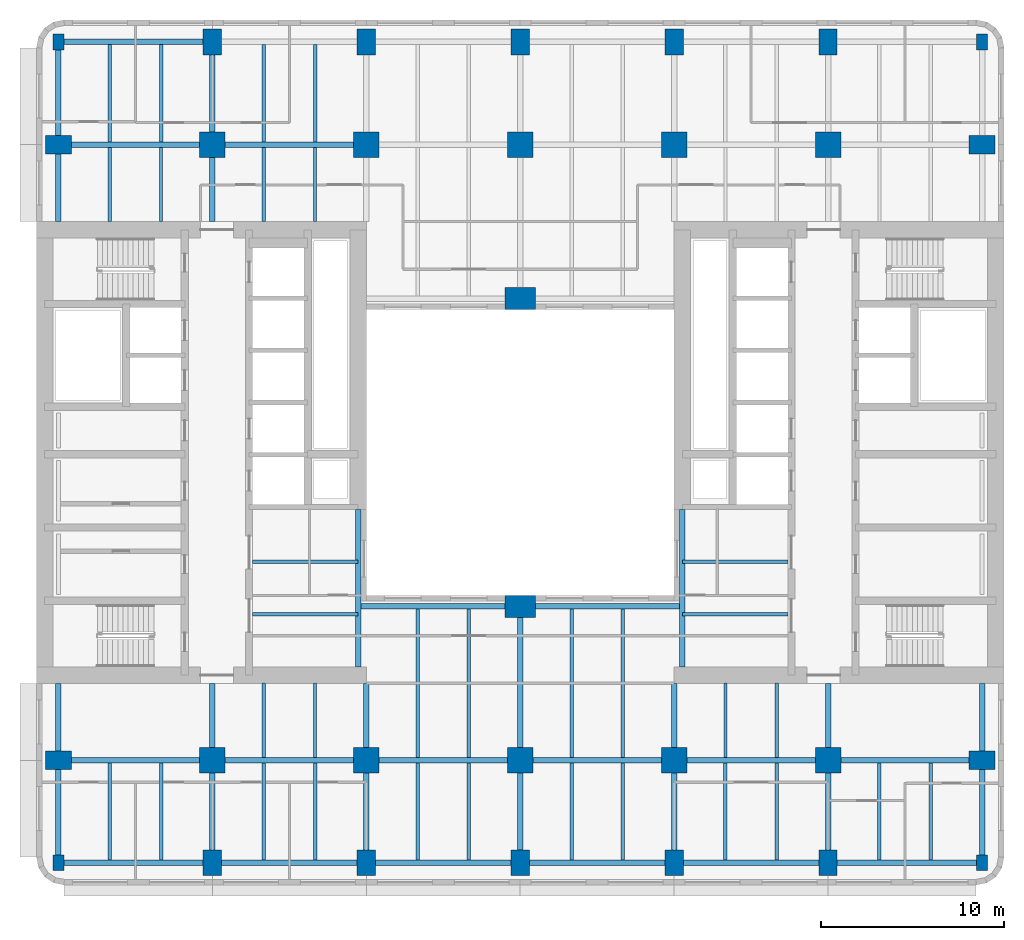
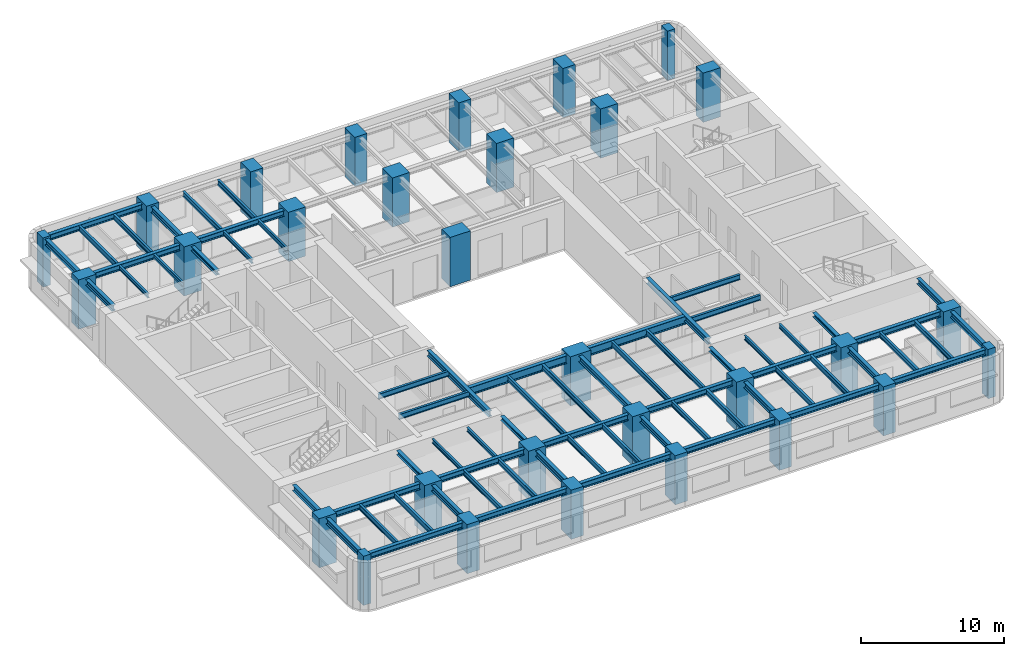
# One storey, part 1 of 11: 69 beams, 30 columns.
"""IFC4 building model written with IfcOpenShell, lengths in metres."""

from ifc_helpers import new_model, si_unit, direction, frame, origin, origin_2d, place, context, subcontext, project, spatial, rectangle, i_section, extrude, material, material_profile, profile_set, type_object, element, save


model = new_model("IFC4")

# Units and contexts
model_context = context("Model", 3, precision=1e-05, world=origin(), true_north=direction((0.0, 1.0)))
body_context = subcontext(model_context, "Body", "Model", "MODEL_VIEW")
ifc_project = project(units=[si_unit("LENGTHUNIT", "METRE"), si_unit("AREAUNIT", "SQUARE_METRE"), si_unit("VOLUMEUNIT", "CUBIC_METRE"), si_unit("PLANEANGLEUNIT", "RADIAN"), si_unit("MASSUNIT", "GRAM", prefix="KILO")], contexts=[model_context])

# Site, building, storey
site_placement = place(None, origin())
site = spatial("IfcSite", under=ifc_project, at=site_placement, CompositionType="ELEMENT")
building_placement = place(site_placement, origin())
building = spatial("IfcBuilding", under=site, at=building_placement, Name="Claustro Exchange Tower", CompositionType="ELEMENT")
storey_placement = place(building_placement, frame((0.0, 0.0, 105.0)))
storey = spatial("IfcBuildingStorey", under=building, at=storey_placement, Name="L23", CompositionType="ELEMENT", Elevation=105.0)

# Columns
ifc_material_1 = material(Name="Concrete HA-70 (C70/85)", Category="concrete")
ifc_material_profile_1 = material_profile(ifc_material_1, rectangle(XDim=1.39990234375, YDim=1.39990234375, at=origin_2d()), Name="RC 1400x1400")
ifc_profile_set_1 = profile_set([ifc_material_profile_1], Name="Concrete HA-70 (C70/85)")
column_type_1 = type_object("IfcColumnType", Name="C0 RC 1400x1400 HA-70 column", PredefinedType="COLUMN", material=ifc_profile_set_1)
for number, where, z_axis, x_axis, name in (
    (1, (8.39990234375, 8.39990234375, 0.0), (0.0, 0.0, 1.0), (1.0, 0.0, 0.0), "Column C0 2/B L23"),
    (2, (8.39990234375, 42.0, 0.0), (0.0, 0.0, 1.0), (1.0, 0.0, 0.0), "Column C0 2/F L23"),
    (3, (16.800048828125, 8.39990234375, 0.0), (0.0, 0.0, 1.0), (1.0, 0.0, 0.0), "Column C0 3/B L23"),
    (4, (16.800048828125, 42.0, 0.0), (0.0, 0.0, 1.0), (1.0, 0.0, 0.0), "Column C0 3/F L23"),
    (5, (25.199951171875, 8.39990234375, 0.0), (0.0, 0.0, 1.0), (1.0, 0.0, 0.0), "Column C0 4/B L23"),
    (6, (25.199951171875, 42.0, 0.0), (0.0, 0.0, 1.0), (1.0, 0.0, 0.0), "Column C0 4/F L23"),
    (7, (33.60009765625, 8.39990234375, 0.0), (0.0, 0.0, 1.0), (1.0, 0.0, 0.0), "Column C0 5/B L23"),
    (8, (33.60009765625, 42.0, 0.0), (0.0, 0.0, 1.0), (1.0, 0.0, 0.0), "Column C0 5/F L23"),
    (9, (42.0, 8.39990234375, 0.0), (0.0, 0.0, 1.0), (1.0, 0.0, 0.0), "Column C0 6/B L23"),
    (10, (42.0, 42.0, 0.0), (0.0, 0.0, 1.0), (1.0, 0.0, 0.0), "Column C0 6/F L23"),
):
    element("IfcColumn", number, at=place(storey_placement, frame(where, z_axis=z_axis, x_axis=x_axis)), inside=storey, type_object=column_type_1, Name=name, PredefinedType="COLUMN", context=body_context, shape_type="SweptSolid", body=[
        extrude(rectangle(XDim=1.39990234375, YDim=1.39990234375, at=origin_2d()), origin(), (0.0, 0.0, 1.0), 4.199951171875),
    ])
ifc_material_2 = material(Name="Concrete HA-70 (C70/85)", Category="concrete")
ifc_material_profile_2 = material_profile(ifc_material_2, rectangle(XDim=1.0, YDim=1.39990234375, at=origin_2d()), Name="RC 1000x1400")
ifc_profile_set_2 = profile_set([ifc_material_profile_2], Name="Concrete HA-70 (C70/85)")
column_type_2 = type_object("IfcColumnType", Name="C22 RC 1000x1400 HA-70 perimeter column", PredefinedType="COLUMN", material=ifc_profile_set_2)
for number, where, z_axis, x_axis, name in (
    (11, (0.0, 8.39990234375, 0.0), (0.0, 0.0, 1.0), (0.0, 1.0, 0.0), "Column C22 1/B L23"),
    (12, (0.0, 42.0, 0.0), (0.0, 0.0, 1.0), (0.0, 1.0, 0.0), "Column C22 1/F L23"),
    (13, (8.39990234375, 2.800048828125, 0.0), (0.0, 0.0, 1.0), (1.0, 0.0, 0.0), "Column C22 2/A+2800 L23"),
    (14, (8.39990234375, 47.60009765625, 0.0), (0.0, 0.0, 1.0), (1.0, 0.0, 0.0), "Column C22 2/F+5600 L23"),
    (15, (16.800048828125, 2.800048828125, 0.0), (0.0, 0.0, 1.0), (1.0, 0.0, 0.0), "Column C22 3/A+2800 L23"),
    (16, (16.800048828125, 47.60009765625, 0.0), (0.0, 0.0, 1.0), (1.0, 0.0, 0.0), "Column C22 3/F+5600 L23"),
    (17, (25.199951171875, 2.800048828125, 0.0), (0.0, 0.0, 1.0), (1.0, 0.0, 0.0), "Column C22 4/A+2800 L23"),
    (18, (25.199951171875, 47.60009765625, 0.0), (0.0, 0.0, 1.0), (1.0, 0.0, 0.0), "Column C22 4/F+5600 L23"),
    (19, (33.60009765625, 2.800048828125, 0.0), (0.0, 0.0, 1.0), (1.0, 0.0, 0.0), "Column C22 5/A+2800 L23"),
    (20, (33.60009765625, 47.60009765625, 0.0), (0.0, 0.0, 1.0), (1.0, 0.0, 0.0), "Column C22 5/F+5600 L23"),
    (21, (42.0, 2.800048828125, 0.0), (0.0, 0.0, 1.0), (1.0, 0.0, 0.0), "Column C22 6/A+2800 L23"),
    (22, (42.0, 47.60009765625, 0.0), (0.0, 0.0, 1.0), (1.0, 0.0, 0.0), "Column C22 6/F+5600 L23"),
    (23, (50.39990234375, 8.39990234375, 0.0), (0.0, 0.0, 1.0), (0.0, 1.0, 0.0), "Column C22 7/B L23"),
    (24, (50.39990234375, 42.0, 0.0), (0.0, 0.0, 1.0), (0.0, 1.0, 0.0), "Column C22 7/F L23"),
):
    element("IfcColumn", number, at=place(storey_placement, frame(where, z_axis=z_axis, x_axis=x_axis)), inside=storey, type_object=column_type_2, Name=name, PredefinedType="COLUMN", context=body_context, shape_type="SweptSolid", body=[
        extrude(rectangle(XDim=1.0, YDim=1.39990234375, at=origin_2d()), origin(), (0.0, 0.0, 1.0), 4.199951171875),
    ])
ifc_material_3 = material(Name="Concrete HA-50 (C50/60)", Category="concrete")
ifc_material_profile_3 = material_profile(ifc_material_3, rectangle(XDim=0.60009765625, YDim=0.85009765625, at=origin_2d()), Name="RC 600x850")
ifc_profile_set_3 = profile_set([ifc_material_profile_3], Name="Concrete HA-50 (C50/60)")
column_type_3 = type_object("IfcColumnType", Name="C25 RC 600x850 HA-50 corner column", PredefinedType="COLUMN", material=ifc_profile_set_3)
for number, where, z_axis, x_axis, name in (
    (25, (0.0, 2.800048828125, 0.0), (0.0, 0.0, 1.0), (1.0, 0.0, 0.0), "Column C25 1/A+2800 L23"),
    (26, (0.0, 47.60009765625, 0.0), (0.0, 0.0, 1.0), (1.0, 0.0, 0.0), "Column C25 1/F+5600 L23"),
    (27, (50.39990234375, 2.800048828125, 0.0), (0.0, 0.0, 1.0), (1.0, 0.0, 0.0), "Column C25 7/A+2800 L23"),
    (28, (50.39990234375, 47.60009765625, 0.0), (0.0, 0.0, 1.0), (1.0, 0.0, 0.0), "Column C25 7/F+5600 L23"),
):
    element("IfcColumn", number, at=place(storey_placement, frame(where, z_axis=z_axis, x_axis=x_axis)), inside=storey, type_object=column_type_3, Name=name, PredefinedType="COLUMN", context=body_context, shape_type="SweptSolid", body=[
        extrude(rectangle(XDim=0.60009765625, YDim=0.85009765625, at=origin_2d()), origin(), (0.0, 0.0, 1.0), 4.199951171875),
    ])
ifc_material_4 = material(Name="Concrete HA-70 (C70/85)", Category="concrete")
ifc_material_profile_4 = material_profile(ifc_material_4, rectangle(XDim=1.64990234375, YDim=1.199951171875, at=origin_2d()), Name="RC 1650x1200")
ifc_profile_set_4 = profile_set([ifc_material_profile_4], Name="Concrete HA-70 (C70/85)")
column_type_4 = type_object("IfcColumnType", Name="C32 RC 1650x1200 HA-70 light well column", PredefinedType="COLUMN", material=ifc_profile_set_4)
for number, where, z_axis, x_axis, name in (
    (29, (25.199951171875, 16.800048828125, 0.0), (0.0, 0.0, 1.0), (1.0, 0.0, 0.0), "Column C32 4/C L23"),
    (30, (25.199951171875, 33.60009765625, 0.0), (0.0, 0.0, 1.0), (1.0, 0.0, 0.0), "Column C32 4/E L23"),
):
    element("IfcColumn", number, at=place(storey_placement, frame(where, z_axis=z_axis, x_axis=x_axis)), inside=storey, type_object=column_type_4, Name=name, PredefinedType="COLUMN", context=body_context, shape_type="SweptSolid", body=[
        extrude(rectangle(XDim=1.64990234375, YDim=1.199951171875, at=origin_2d()), origin(), (0.0, 0.0, 1.0), 4.199951171875),
    ])

# Beams
ifc_material_5 = material(Name="Steel S355", Category="steel")
ifc_material_profile_5 = material_profile(ifc_material_5, i_section(OverallWidth=0.300048828125, OverallDepth=0.68994140625, WebThickness=0.014404296875, FlangeThickness=0.027099609375, FilletRadius=0.027099609375, at=origin_2d()), Name="HE 700 A")
ifc_profile_set_5 = profile_set([ifc_material_profile_5], Name="Steel S355")
beam_type_1 = type_object("IfcBeamType", Name="B13 HE 700 A light well edge girder", PredefinedType="BEAM", material=ifc_profile_set_5)
beam_1_placement = place(storey_placement, frame((16.35009765625, 16.800048828125, 3.705078125), z_axis=(1.0, 0.0, 0.0), x_axis=(0.0, 1.0, 0.0)))
element("IfcBeam", 31, at=beam_1_placement, inside=storey, type_object=beam_type_1, Name="Beam B13 L24", PredefinedType="BEAM", context=body_context, shape_type="SweptSolid", body=[
    extrude(i_section(OverallWidth=0.300048828125, OverallDepth=0.68994140625, WebThickness=0.014404296875, FlangeThickness=0.027099609375, FilletRadius=0.027099609375, at=origin_2d()), origin(), (0.0, 0.0, 1.0), 8.849853515625),
])
beam_2_placement = place(storey_placement, frame((25.199951171875, 16.800048828125, 3.705078125), z_axis=(1.0, 0.0, 0.0), x_axis=(0.0, 1.0, 0.0)))
element("IfcBeam", 32, at=beam_2_placement, inside=storey, type_object=beam_type_1, Name="Beam B13 L24", PredefinedType="BEAM", context=body_context, shape_type="SweptSolid", body=[
    extrude(i_section(OverallWidth=0.300048828125, OverallDepth=0.68994140625, WebThickness=0.014404296875, FlangeThickness=0.027099609375, FilletRadius=0.027099609375, at=origin_2d()), origin(), (0.0, 0.0, 1.0), 8.85009765625),
])
ifc_material_6 = material(Name="Steel S355", Category="steel")
ifc_material_profile_6 = material_profile(ifc_material_6, i_section(OverallWidth=0.169921875, OverallDepth=0.360107421875, WebThickness=0.008056640625, FlangeThickness=0.0126953125, FilletRadius=0.01806640625, at=origin_2d()), Name="IPE 360")
ifc_profile_set_6 = profile_set([ifc_material_profile_6], Name="Steel S355")
beam_type_2 = type_object("IfcBeamType", Name="B16 IPE 360 short-span beam", PredefinedType="BEAM", material=ifc_profile_set_6)
for number, where, z_axis, x_axis, name in (
    (33, (2.800048828125, 37.7900390625, 3.8701171875), (0.0, 1.0, 0.0), (-1.0, 0.0, 0.0), "Beam B16 L24"),
    (34, (5.60009765625, 37.7900390625, 3.8701171875), (0.0, 1.0, 0.0), (-1.0, 0.0, 0.0), "Beam B16 L24"),
    (35, (11.199951171875, 8.550048828125, 3.8701171875), (0.0, 1.0, 0.0), (-1.0, 0.0, 0.0), "Beam B16 L24"),
    (36, (14.0, 8.550048828125, 3.8701171875), (0.0, 1.0, 0.0), (-1.0, 0.0, 0.0), "Beam B16 L24"),
    (37, (11.199951171875, 37.7900390625, 3.8701171875), (0.0, 1.0, 0.0), (-1.0, 0.0, 0.0), "Beam B16 L24"),
    (38, (14.0, 37.7900390625, 3.8701171875), (0.0, 1.0, 0.0), (-1.0, 0.0, 0.0), "Beam B16 L24"),
    (39, (36.39990234375, 8.550048828125, 3.8701171875), (0.0, 1.0, 0.0), (-1.0, 0.0, 0.0), "Beam B16 L24"),
    (40, (39.199951171875, 8.550048828125, 3.8701171875), (0.0, 1.0, 0.0), (-1.0, 0.0, 0.0), "Beam B16 L24"),
):
    element("IfcBeam", number, at=place(storey_placement, frame(where, z_axis=z_axis, x_axis=x_axis)), inside=storey, type_object=beam_type_2, Name=name, PredefinedType="BEAM", context=body_context, shape_type="SweptSolid", body=[
        extrude(i_section(OverallWidth=0.169921875, OverallDepth=0.360107421875, WebThickness=0.008056640625, FlangeThickness=0.0126953125, FilletRadius=0.01806640625, at=origin_2d()), origin(), (0.0, 0.0, 1.0), 4.06005859375),
    ])
ifc_material_7 = material(Name="Steel S355", Category="steel")
ifc_material_profile_7 = material_profile(ifc_material_7, i_section(OverallWidth=0.300048828125, OverallDepth=0.360107421875, WebThickness=0.012451171875, FlangeThickness=0.0224609375, FilletRadius=0.027099609375, at=origin_2d()), Name="HE 360 B")
ifc_profile_set_7 = profile_set([ifc_material_profile_7], Name="Steel S355")
beam_type_3 = type_object("IfcBeamType", Name="B29 HE 360 B column to core link beam", PredefinedType="BEAM", material=ifc_profile_set_7)
beam_3_placement = place(storey_placement, frame((8.39990234375, 8.39990234375, 3.8701171875), z_axis=(0.0, 1.0, 0.0), x_axis=(-1.0, 0.0, 0.0)))
element("IfcBeam", 41, at=beam_3_placement, inside=storey, type_object=beam_type_3, Name="Beam B29 L24", PredefinedType="BEAM", context=body_context, shape_type="SweptSolid", body=[
    extrude(i_section(OverallWidth=0.300048828125, OverallDepth=0.360107421875, WebThickness=0.012451171875, FlangeThickness=0.0224609375, FilletRadius=0.027099609375, at=origin_2d()), origin(), (0.0, 0.0, 1.0), 4.2001953125),
])
beam_4_placement = place(storey_placement, frame((8.39990234375, 37.800048828125, 3.8701171875), z_axis=(0.0, 1.0, 0.0), x_axis=(-1.0, 0.0, 0.0)))
element("IfcBeam", 42, at=beam_4_placement, inside=storey, type_object=beam_type_3, Name="Beam B29 L24", PredefinedType="BEAM", context=body_context, shape_type="SweptSolid", body=[
    extrude(i_section(OverallWidth=0.300048828125, OverallDepth=0.360107421875, WebThickness=0.012451171875, FlangeThickness=0.0224609375, FilletRadius=0.027099609375, at=origin_2d()), origin(), (0.0, 0.0, 1.0), 4.199951171875),
])
for number, where, z_axis, x_axis, name in (
    (43, (16.800048828125, 8.39990234375, 3.8701171875), (0.0, 1.0, 0.0), (-1.0, 0.0, 0.0), "Beam B29 L24"),
    (44, (33.60009765625, 8.39990234375, 3.8701171875), (0.0, 1.0, 0.0), (-1.0, 0.0, 0.0), "Beam B29 L24"),
    (45, (42.0, 8.39990234375, 3.8701171875), (0.0, 1.0, 0.0), (-1.0, 0.0, 0.0), "Beam B29 L24"),
):
    element("IfcBeam", number, at=place(storey_placement, frame(where, z_axis=z_axis, x_axis=x_axis)), inside=storey, type_object=beam_type_3, Name=name, PredefinedType="BEAM", context=body_context, shape_type="SweptSolid", body=[
        extrude(i_section(OverallWidth=0.300048828125, OverallDepth=0.360107421875, WebThickness=0.012451171875, FlangeThickness=0.0224609375, FilletRadius=0.027099609375, at=origin_2d()), origin(), (0.0, 0.0, 1.0), 4.2001953125),
    ])
ifc_material_8 = material(Name="Steel S355", Category="steel")
ifc_material_profile_8 = material_profile(ifc_material_8, i_section(OverallWidth=0.300048828125, OverallDepth=0.5, WebThickness=0.014404296875, FlangeThickness=0.028076171875, FilletRadius=0.027099609375, at=origin_2d()), Name="HE 500 B")
ifc_profile_set_8 = profile_set([ifc_material_profile_8], Name="Steel S355")
beam_type_4 = type_object("IfcBeamType", Name="B7 HE 500 B floor girder", PredefinedType="BEAM", material=ifc_profile_set_8)
beam_5_placement = place(storey_placement, frame((8.39990234375, 2.800048828125, 3.800048828125), z_axis=(0.0, 1.0, 0.0), x_axis=(-1.0, 0.0, 0.0)))
element("IfcBeam", 46, at=beam_5_placement, inside=storey, type_object=beam_type_4, Name="Beam B7 L24", PredefinedType="BEAM", context=body_context, shape_type="SweptSolid", body=[
    extrude(i_section(OverallWidth=0.300048828125, OverallDepth=0.5, WebThickness=0.014404296875, FlangeThickness=0.028076171875, FilletRadius=0.027099609375, at=origin_2d()), origin(), (0.0, 0.0, 1.0), 5.599853515625),
])
beam_6_placement = place(storey_placement, frame((8.39990234375, 42.0, 3.800048828125), z_axis=(0.0, 1.0, 0.0), x_axis=(-1.0, 0.0, 0.0)))
element("IfcBeam", 47, at=beam_6_placement, inside=storey, type_object=beam_type_4, Name="Beam B7 L24", PredefinedType="BEAM", context=body_context, shape_type="SweptSolid", body=[
    extrude(i_section(OverallWidth=0.300048828125, OverallDepth=0.5, WebThickness=0.014404296875, FlangeThickness=0.028076171875, FilletRadius=0.027099609375, at=origin_2d()), origin(), (0.0, 0.0, 1.0), 5.60009765625),
])
for number, where, z_axis, x_axis, name in (
    (48, (16.800048828125, 2.800048828125, 3.800048828125), (0.0, 1.0, 0.0), (-1.0, 0.0, 0.0), "Beam B7 L24"),
    (49, (25.199951171875, 2.800048828125, 3.800048828125), (0.0, 1.0, 0.0), (-1.0, 0.0, 0.0), "Beam B7 L24"),
):
    element("IfcBeam", number, at=place(storey_placement, frame(where, z_axis=z_axis, x_axis=x_axis)), inside=storey, type_object=beam_type_4, Name=name, PredefinedType="BEAM", context=body_context, shape_type="SweptSolid", body=[
        extrude(i_section(OverallWidth=0.300048828125, OverallDepth=0.5, WebThickness=0.014404296875, FlangeThickness=0.028076171875, FilletRadius=0.027099609375, at=origin_2d()), origin(), (0.0, 0.0, 1.0), 5.599853515625),
    ])
beam_7_placement = place(storey_placement, frame((25.199951171875, 8.39990234375, 3.800048828125), z_axis=(0.0, 1.0, 0.0), x_axis=(-1.0, 0.0, 0.0)))
element("IfcBeam", 50, at=beam_7_placement, inside=storey, type_object=beam_type_4, Name="Beam B7 L24", PredefinedType="BEAM", context=body_context, shape_type="SweptSolid", body=[
    extrude(i_section(OverallWidth=0.300048828125, OverallDepth=0.5, WebThickness=0.014404296875, FlangeThickness=0.028076171875, FilletRadius=0.027099609375, at=origin_2d()), origin(), (0.0, 0.0, 1.0), 8.400146484375),
])
for number, where, z_axis, x_axis, name in (
    (51, (33.60009765625, 2.800048828125, 3.800048828125), (0.0, 1.0, 0.0), (-1.0, 0.0, 0.0), "Beam B7 L24"),
    (52, (42.0, 2.800048828125, 3.800048828125), (0.0, 1.0, 0.0), (-1.0, 0.0, 0.0), "Beam B7 L24"),
):
    element("IfcBeam", number, at=place(storey_placement, frame(where, z_axis=z_axis, x_axis=x_axis)), inside=storey, type_object=beam_type_4, Name=name, PredefinedType="BEAM", context=body_context, shape_type="SweptSolid", body=[
        extrude(i_section(OverallWidth=0.300048828125, OverallDepth=0.5, WebThickness=0.014404296875, FlangeThickness=0.028076171875, FilletRadius=0.027099609375, at=origin_2d()), origin(), (0.0, 0.0, 1.0), 5.599853515625),
    ])
beam_8_placement = place(storey_placement, frame((0.0, 8.39990234375, 3.800048828125), z_axis=(1.0, 0.0, 0.0), x_axis=(0.0, 1.0, 0.0)))
element("IfcBeam", 53, at=beam_8_placement, inside=storey, type_object=beam_type_4, Name="Beam B7 L24", PredefinedType="BEAM", context=body_context, shape_type="SweptSolid", body=[
    extrude(i_section(OverallWidth=0.300048828125, OverallDepth=0.5, WebThickness=0.014404296875, FlangeThickness=0.028076171875, FilletRadius=0.027099609375, at=origin_2d()), origin(), (0.0, 0.0, 1.0), 8.39990234375),
])
beam_9_placement = place(storey_placement, frame((8.39990234375, 8.39990234375, 3.800048828125), z_axis=(1.0, 0.0, 0.0), x_axis=(0.0, 1.0, 0.0)))
element("IfcBeam", 54, at=beam_9_placement, inside=storey, type_object=beam_type_4, Name="Beam B7 L24", PredefinedType="BEAM", context=body_context, shape_type="SweptSolid", body=[
    extrude(i_section(OverallWidth=0.300048828125, OverallDepth=0.5, WebThickness=0.014404296875, FlangeThickness=0.028076171875, FilletRadius=0.027099609375, at=origin_2d()), origin(), (0.0, 0.0, 1.0), 8.400146484375),
])
beam_10_placement = place(storey_placement, frame((16.800048828125, 8.39990234375, 3.800048828125), z_axis=(1.0, 0.0, 0.0), x_axis=(0.0, 1.0, 0.0)))
element("IfcBeam", 55, at=beam_10_placement, inside=storey, type_object=beam_type_4, Name="Beam B7 L24", PredefinedType="BEAM", context=body_context, shape_type="SweptSolid", body=[
    extrude(i_section(OverallWidth=0.300048828125, OverallDepth=0.5, WebThickness=0.014404296875, FlangeThickness=0.028076171875, FilletRadius=0.027099609375, at=origin_2d()), origin(), (0.0, 0.0, 1.0), 8.39990234375),
])
beam_11_placement = place(storey_placement, frame((25.199951171875, 8.39990234375, 3.800048828125), z_axis=(1.0, 0.0, 0.0), x_axis=(0.0, 1.0, 0.0)))
element("IfcBeam", 56, at=beam_11_placement, inside=storey, type_object=beam_type_4, Name="Beam B7 L24", PredefinedType="BEAM", context=body_context, shape_type="SweptSolid", body=[
    extrude(i_section(OverallWidth=0.300048828125, OverallDepth=0.5, WebThickness=0.014404296875, FlangeThickness=0.028076171875, FilletRadius=0.027099609375, at=origin_2d()), origin(), (0.0, 0.0, 1.0), 8.400146484375),
])
for number, where, z_axis, x_axis, name in (
    (57, (33.60009765625, 8.39990234375, 3.800048828125), (1.0, 0.0, 0.0), (0.0, 1.0, 0.0), "Beam B7 L24"),
    (58, (42.0, 8.39990234375, 3.800048828125), (1.0, 0.0, 0.0), (0.0, 1.0, 0.0), "Beam B7 L24"),
    (59, (0.0, 42.0, 3.800048828125), (1.0, 0.0, 0.0), (0.0, 1.0, 0.0), "Beam B7 L24"),
):
    element("IfcBeam", number, at=place(storey_placement, frame(where, z_axis=z_axis, x_axis=x_axis)), inside=storey, type_object=beam_type_4, Name=name, PredefinedType="BEAM", context=body_context, shape_type="SweptSolid", body=[
        extrude(i_section(OverallWidth=0.300048828125, OverallDepth=0.5, WebThickness=0.014404296875, FlangeThickness=0.028076171875, FilletRadius=0.027099609375, at=origin_2d()), origin(), (0.0, 0.0, 1.0), 8.39990234375),
    ])
beam_12_placement = place(storey_placement, frame((8.39990234375, 42.0, 3.800048828125), z_axis=(1.0, 0.0, 0.0), x_axis=(0.0, 1.0, 0.0)))
element("IfcBeam", 60, at=beam_12_placement, inside=storey, type_object=beam_type_4, Name="Beam B7 L24", PredefinedType="BEAM", context=body_context, shape_type="SweptSolid", body=[
    extrude(i_section(OverallWidth=0.300048828125, OverallDepth=0.5, WebThickness=0.014404296875, FlangeThickness=0.028076171875, FilletRadius=0.027099609375, at=origin_2d()), origin(), (0.0, 0.0, 1.0), 8.400146484375),
])
for number, where, z_axis, x_axis, name in (
    (61, (16.35009765625, 13.5, 3.800048828125), (0.0, 1.0, 0.0), (-1.0, 0.0, 0.0), "Beam B7 core step framing L24"),
    (62, (34.050048828125, 13.5, 3.800048828125), (0.0, 1.0, 0.0), (-1.0, 0.0, 0.0), "Beam B7 core step framing L24"),
):
    element("IfcBeam", number, at=place(storey_placement, frame(where, z_axis=z_axis, x_axis=x_axis)), inside=storey, type_object=beam_type_4, Name=name, PredefinedType="BEAM", context=body_context, shape_type="SweptSolid", body=[
        extrude(i_section(OverallWidth=0.300048828125, OverallDepth=0.5, WebThickness=0.014404296875, FlangeThickness=0.028076171875, FilletRadius=0.027099609375, at=origin_2d()), origin(), (0.0, 0.0, 1.0), 8.60009765625),
    ])
ifc_material_9 = material(Name="Steel S355", Category="steel")
ifc_material_profile_9 = material_profile(ifc_material_9, i_section(OverallWidth=0.18994140625, OverallDepth=0.449951171875, WebThickness=0.009521484375, FlangeThickness=0.0146484375, FilletRadius=0.02099609375, at=origin_2d()), Name="IPE 450")
ifc_profile_set_9 = profile_set([ifc_material_profile_9], Name="Steel S355")
beam_type_5 = type_object("IfcBeamType", Name="B8 IPE 450 secondary beam", PredefinedType="BEAM", material=ifc_profile_set_9)
for number, where, z_axis, x_axis, name in (
    (63, (2.800048828125, 2.949951171875, 3.824951171875), (0.0, 1.0, 0.0), (-1.0, 0.0, 0.0), "Beam B8 L24"),
    (64, (5.60009765625, 2.949951171875, 3.824951171875), (0.0, 1.0, 0.0), (-1.0, 0.0, 0.0), "Beam B8 L24"),
    (65, (2.800048828125, 42.14990234375, 3.824951171875), (0.0, 1.0, 0.0), (-1.0, 0.0, 0.0), "Beam B8 L24"),
    (66, (5.60009765625, 42.14990234375, 3.824951171875), (0.0, 1.0, 0.0), (-1.0, 0.0, 0.0), "Beam B8 L24"),
    (67, (11.199951171875, 2.949951171875, 3.824951171875), (0.0, 1.0, 0.0), (-1.0, 0.0, 0.0), "Beam B8 L24"),
    (68, (14.0, 2.949951171875, 3.824951171875), (0.0, 1.0, 0.0), (-1.0, 0.0, 0.0), "Beam B8 L24"),
    (69, (11.199951171875, 42.14990234375, 3.824951171875), (0.0, 1.0, 0.0), (-1.0, 0.0, 0.0), "Beam B8 L24"),
    (70, (14.0, 42.14990234375, 3.824951171875), (0.0, 1.0, 0.0), (-1.0, 0.0, 0.0), "Beam B8 L24"),
    (71, (19.60009765625, 2.949951171875, 3.824951171875), (0.0, 1.0, 0.0), (-1.0, 0.0, 0.0), "Beam B8 L24"),
    (72, (22.39990234375, 2.949951171875, 3.824951171875), (0.0, 1.0, 0.0), (-1.0, 0.0, 0.0), "Beam B8 L24"),
):
    element("IfcBeam", number, at=place(storey_placement, frame(where, z_axis=z_axis, x_axis=x_axis)), inside=storey, type_object=beam_type_5, Name=name, PredefinedType="BEAM", context=body_context, shape_type="SweptSolid", body=[
        extrude(i_section(OverallWidth=0.18994140625, OverallDepth=0.449951171875, WebThickness=0.009521484375, FlangeThickness=0.0146484375, FilletRadius=0.02099609375, at=origin_2d()), origin(), (0.0, 0.0, 1.0), 5.300048828125),
    ])
for number, where, z_axis, x_axis, name in (
    (73, (19.60009765625, 8.550048828125, 3.824951171875), (0.0, 1.0, 0.0), (-1.0, 0.0, 0.0), "Beam B8 L24"),
    (74, (22.39990234375, 8.550048828125, 3.824951171875), (0.0, 1.0, 0.0), (-1.0, 0.0, 0.0), "Beam B8 L24"),
):
    element("IfcBeam", number, at=place(storey_placement, frame(where, z_axis=z_axis, x_axis=x_axis)), inside=storey, type_object=beam_type_5, Name=name, PredefinedType="BEAM", context=body_context, shape_type="SweptSolid", body=[
        extrude(i_section(OverallWidth=0.18994140625, OverallDepth=0.449951171875, WebThickness=0.009521484375, FlangeThickness=0.0146484375, FilletRadius=0.02099609375, at=origin_2d()), origin(), (0.0, 0.0, 1.0), 8.099853515625),
    ])
for number, where, z_axis, x_axis, name in (
    (75, (28.0, 2.949951171875, 3.824951171875), (0.0, 1.0, 0.0), (-1.0, 0.0, 0.0), "Beam B8 L24"),
    (76, (30.800048828125, 2.949951171875, 3.824951171875), (0.0, 1.0, 0.0), (-1.0, 0.0, 0.0), "Beam B8 L24"),
):
    element("IfcBeam", number, at=place(storey_placement, frame(where, z_axis=z_axis, x_axis=x_axis)), inside=storey, type_object=beam_type_5, Name=name, PredefinedType="BEAM", context=body_context, shape_type="SweptSolid", body=[
        extrude(i_section(OverallWidth=0.18994140625, OverallDepth=0.449951171875, WebThickness=0.009521484375, FlangeThickness=0.0146484375, FilletRadius=0.02099609375, at=origin_2d()), origin(), (0.0, 0.0, 1.0), 5.300048828125),
    ])
for number, where, z_axis, x_axis, name in (
    (77, (28.0, 8.550048828125, 3.824951171875), (0.0, 1.0, 0.0), (-1.0, 0.0, 0.0), "Beam B8 L24"),
    (78, (30.800048828125, 8.550048828125, 3.824951171875), (0.0, 1.0, 0.0), (-1.0, 0.0, 0.0), "Beam B8 L24"),
):
    element("IfcBeam", number, at=place(storey_placement, frame(where, z_axis=z_axis, x_axis=x_axis)), inside=storey, type_object=beam_type_5, Name=name, PredefinedType="BEAM", context=body_context, shape_type="SweptSolid", body=[
        extrude(i_section(OverallWidth=0.18994140625, OverallDepth=0.449951171875, WebThickness=0.009521484375, FlangeThickness=0.0146484375, FilletRadius=0.02099609375, at=origin_2d()), origin(), (0.0, 0.0, 1.0), 8.099853515625),
    ])
for number, where, z_axis, x_axis, name in (
    (79, (36.39990234375, 2.949951171875, 3.824951171875), (0.0, 1.0, 0.0), (-1.0, 0.0, 0.0), "Beam B8 L24"),
    (80, (39.199951171875, 2.949951171875, 3.824951171875), (0.0, 1.0, 0.0), (-1.0, 0.0, 0.0), "Beam B8 L24"),
    (81, (44.800048828125, 2.949951171875, 3.824951171875), (0.0, 1.0, 0.0), (-1.0, 0.0, 0.0), "Beam B8 L24"),
    (82, (47.60009765625, 2.949951171875, 3.824951171875), (0.0, 1.0, 0.0), (-1.0, 0.0, 0.0), "Beam B8 L24"),
):
    element("IfcBeam", number, at=place(storey_placement, frame(where, z_axis=z_axis, x_axis=x_axis)), inside=storey, type_object=beam_type_5, Name=name, PredefinedType="BEAM", context=body_context, shape_type="SweptSolid", body=[
        extrude(i_section(OverallWidth=0.18994140625, OverallDepth=0.449951171875, WebThickness=0.009521484375, FlangeThickness=0.0146484375, FilletRadius=0.02099609375, at=origin_2d()), origin(), (0.0, 0.0, 1.0), 5.300048828125),
    ])
for number, where, z_axis, x_axis, name in (
    (83, (10.60009765625, 16.36669921875, 3.824951171875), (1.0, 0.0, 0.0), (0.0, 1.0, 0.0), "Beam B8 core step framing L24"),
    (84, (10.60009765625, 19.2333984375, 3.824951171875), (1.0, 0.0, 0.0), (0.0, 1.0, 0.0), "Beam B8 core step framing L24"),
    (85, (34.050048828125, 16.36669921875, 3.824951171875), (1.0, 0.0, 0.0), (0.0, 1.0, 0.0), "Beam B8 core step framing L24"),
    (86, (34.050048828125, 19.2333984375, 3.824951171875), (1.0, 0.0, 0.0), (0.0, 1.0, 0.0), "Beam B8 core step framing L24"),
):
    element("IfcBeam", number, at=place(storey_placement, frame(where, z_axis=z_axis, x_axis=x_axis)), inside=storey, type_object=beam_type_5, Name=name, PredefinedType="BEAM", context=body_context, shape_type="SweptSolid", body=[
        extrude(i_section(OverallWidth=0.18994140625, OverallDepth=0.449951171875, WebThickness=0.009521484375, FlangeThickness=0.0146484375, FilletRadius=0.02099609375, at=origin_2d()), origin(), (0.0, 0.0, 1.0), 5.75),
    ])
ifc_material_10 = material(Name="Steel S355", Category="steel")
ifc_material_profile_10 = material_profile(ifc_material_10, i_section(OverallWidth=0.300048828125, OverallDepth=0.489990234375, WebThickness=0.011962890625, FlangeThickness=0.02294921875, FilletRadius=0.027099609375, at=origin_2d()), Name="HE 500 A")
ifc_profile_set_10 = profile_set([ifc_material_profile_10], Name="Steel S355")
beam_type_6 = type_object("IfcBeamType", Name="B9 HE 500 A spandrel edge girder", PredefinedType="SPANDREL", material=ifc_profile_set_10)
beam_13_placement = place(storey_placement, frame((0.0, 2.800048828125, 3.804931640625), z_axis=(0.0, 1.0, 0.0), x_axis=(-1.0, 0.0, 0.0)))
element("IfcBeam", 87, at=beam_13_placement, inside=storey, type_object=beam_type_6, Name="Beam B9 L24", PredefinedType="SPANDREL", context=body_context, shape_type="SweptSolid", body=[
    extrude(i_section(OverallWidth=0.300048828125, OverallDepth=0.489990234375, WebThickness=0.011962890625, FlangeThickness=0.02294921875, FilletRadius=0.027099609375, at=origin_2d()), origin(), (0.0, 0.0, 1.0), 5.599853515625),
])
beam_14_placement = place(storey_placement, frame((0.0, 8.39990234375, 3.804931640625), z_axis=(0.0, 1.0, 0.0), x_axis=(-1.0, 0.0, 0.0)))
element("IfcBeam", 88, at=beam_14_placement, inside=storey, type_object=beam_type_6, Name="Beam B9 L24", PredefinedType="SPANDREL", context=body_context, shape_type="SweptSolid", body=[
    extrude(i_section(OverallWidth=0.300048828125, OverallDepth=0.489990234375, WebThickness=0.011962890625, FlangeThickness=0.02294921875, FilletRadius=0.027099609375, at=origin_2d()), origin(), (0.0, 0.0, 1.0), 4.2001953125),
])
beam_15_placement = place(storey_placement, frame((0.0, 37.800048828125, 3.804931640625), z_axis=(0.0, 1.0, 0.0), x_axis=(-1.0, 0.0, 0.0)))
element("IfcBeam", 89, at=beam_15_placement, inside=storey, type_object=beam_type_6, Name="Beam B9 L24", PredefinedType="SPANDREL", context=body_context, shape_type="SweptSolid", body=[
    extrude(i_section(OverallWidth=0.300048828125, OverallDepth=0.489990234375, WebThickness=0.011962890625, FlangeThickness=0.02294921875, FilletRadius=0.027099609375, at=origin_2d()), origin(), (0.0, 0.0, 1.0), 4.199951171875),
])
beam_16_placement = place(storey_placement, frame((0.0, 42.0, 3.804931640625), z_axis=(0.0, 1.0, 0.0), x_axis=(-1.0, 0.0, 0.0)))
element("IfcBeam", 90, at=beam_16_placement, inside=storey, type_object=beam_type_6, Name="Beam B9 L24", PredefinedType="SPANDREL", context=body_context, shape_type="SweptSolid", body=[
    extrude(i_section(OverallWidth=0.300048828125, OverallDepth=0.489990234375, WebThickness=0.011962890625, FlangeThickness=0.02294921875, FilletRadius=0.027099609375, at=origin_2d()), origin(), (0.0, 0.0, 1.0), 5.60009765625),
])
beam_17_placement = place(storey_placement, frame((50.39990234375, 2.800048828125, 3.804931640625), z_axis=(0.0, 1.0, 0.0), x_axis=(-1.0, 0.0, 0.0)))
element("IfcBeam", 91, at=beam_17_placement, inside=storey, type_object=beam_type_6, Name="Beam B9 L24", PredefinedType="SPANDREL", context=body_context, shape_type="SweptSolid", body=[
    extrude(i_section(OverallWidth=0.300048828125, OverallDepth=0.489990234375, WebThickness=0.011962890625, FlangeThickness=0.02294921875, FilletRadius=0.027099609375, at=origin_2d()), origin(), (0.0, 0.0, 1.0), 5.599853515625),
])
beam_18_placement = place(storey_placement, frame((50.39990234375, 8.39990234375, 3.804931640625), z_axis=(0.0, 1.0, 0.0), x_axis=(-1.0, 0.0, 0.0)))
element("IfcBeam", 92, at=beam_18_placement, inside=storey, type_object=beam_type_6, Name="Beam B9 L24", PredefinedType="SPANDREL", context=body_context, shape_type="SweptSolid", body=[
    extrude(i_section(OverallWidth=0.300048828125, OverallDepth=0.489990234375, WebThickness=0.011962890625, FlangeThickness=0.02294921875, FilletRadius=0.027099609375, at=origin_2d()), origin(), (0.0, 0.0, 1.0), 4.2001953125),
])
beam_19_placement = place(storey_placement, frame((0.0, 2.800048828125, 3.804931640625), z_axis=(1.0, 0.0, 0.0), x_axis=(0.0, 1.0, 0.0)))
element("IfcBeam", 93, at=beam_19_placement, inside=storey, type_object=beam_type_6, Name="Beam B9 L24", PredefinedType="SPANDREL", context=body_context, shape_type="SweptSolid", body=[
    extrude(i_section(OverallWidth=0.300048828125, OverallDepth=0.489990234375, WebThickness=0.011962890625, FlangeThickness=0.02294921875, FilletRadius=0.027099609375, at=origin_2d()), origin(), (0.0, 0.0, 1.0), 8.39990234375),
])
beam_20_placement = place(storey_placement, frame((8.39990234375, 2.800048828125, 3.804931640625), z_axis=(1.0, 0.0, 0.0), x_axis=(0.0, 1.0, 0.0)))
element("IfcBeam", 94, at=beam_20_placement, inside=storey, type_object=beam_type_6, Name="Beam B9 L24", PredefinedType="SPANDREL", context=body_context, shape_type="SweptSolid", body=[
    extrude(i_section(OverallWidth=0.300048828125, OverallDepth=0.489990234375, WebThickness=0.011962890625, FlangeThickness=0.02294921875, FilletRadius=0.027099609375, at=origin_2d()), origin(), (0.0, 0.0, 1.0), 8.400146484375),
])
beam_21_placement = place(storey_placement, frame((16.800048828125, 2.800048828125, 3.804931640625), z_axis=(1.0, 0.0, 0.0), x_axis=(0.0, 1.0, 0.0)))
element("IfcBeam", 95, at=beam_21_placement, inside=storey, type_object=beam_type_6, Name="Beam B9 L24", PredefinedType="SPANDREL", context=body_context, shape_type="SweptSolid", body=[
    extrude(i_section(OverallWidth=0.300048828125, OverallDepth=0.489990234375, WebThickness=0.011962890625, FlangeThickness=0.02294921875, FilletRadius=0.027099609375, at=origin_2d()), origin(), (0.0, 0.0, 1.0), 8.39990234375),
])
beam_22_placement = place(storey_placement, frame((25.199951171875, 2.800048828125, 3.804931640625), z_axis=(1.0, 0.0, 0.0), x_axis=(0.0, 1.0, 0.0)))
element("IfcBeam", 96, at=beam_22_placement, inside=storey, type_object=beam_type_6, Name="Beam B9 L24", PredefinedType="SPANDREL", context=body_context, shape_type="SweptSolid", body=[
    extrude(i_section(OverallWidth=0.300048828125, OverallDepth=0.489990234375, WebThickness=0.011962890625, FlangeThickness=0.02294921875, FilletRadius=0.027099609375, at=origin_2d()), origin(), (0.0, 0.0, 1.0), 8.400146484375),
])
for number, where, z_axis, x_axis, name in (
    (97, (33.60009765625, 2.800048828125, 3.804931640625), (1.0, 0.0, 0.0), (0.0, 1.0, 0.0), "Beam B9 L24"),
    (98, (42.0, 2.800048828125, 3.804931640625), (1.0, 0.0, 0.0), (0.0, 1.0, 0.0), "Beam B9 L24"),
    (99, (0.0, 47.60009765625, 3.804931640625), (1.0, 0.0, 0.0), (0.0, 1.0, 0.0), "Beam B9 L24"),
):
    element("IfcBeam", number, at=place(storey_placement, frame(where, z_axis=z_axis, x_axis=x_axis)), inside=storey, type_object=beam_type_6, Name=name, PredefinedType="SPANDREL", context=body_context, shape_type="SweptSolid", body=[
        extrude(i_section(OverallWidth=0.300048828125, OverallDepth=0.489990234375, WebThickness=0.011962890625, FlangeThickness=0.02294921875, FilletRadius=0.027099609375, at=origin_2d()), origin(), (0.0, 0.0, 1.0), 8.39990234375),
    ])

save(model, "model.ifc")
